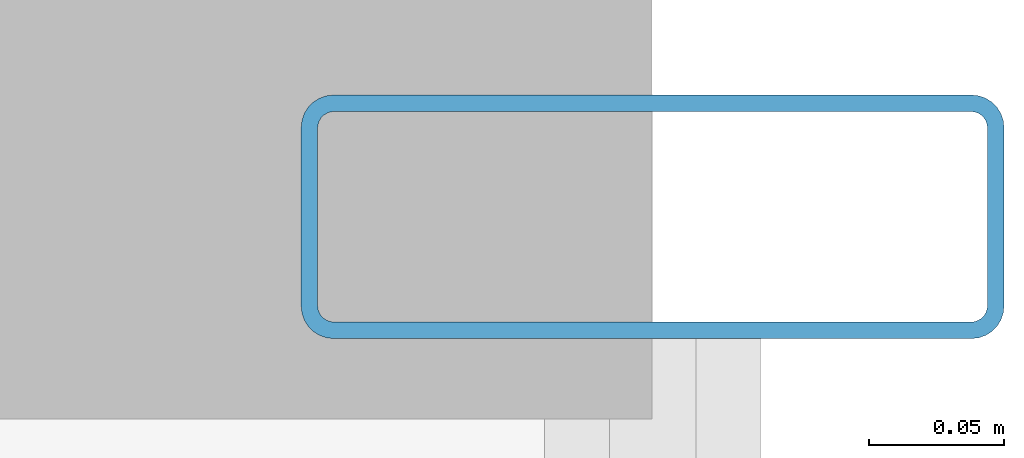
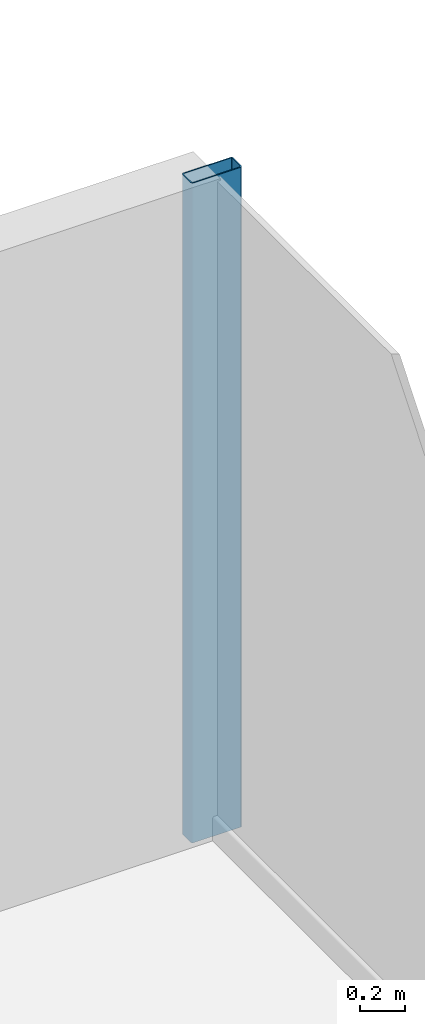
# One storey, part 18 of 26: 1 member, 1 element without a shape of its own.
"""IFC4 building model written with IfcOpenShell, lengths in metres."""

from ifc_helpers import new_model, si_unit, direction, frame, origin, origin_2d, place, context, subcontext, project, spatial, hollow_rectangle, extrude, source, transform, mapped, material, layer, layer_set, material_profile, profile_set, type_object, element, aggregate, save


model = new_model("IFC4")

# Units and contexts
model_context = context("Model", 3, precision=1e-05, world=origin(), true_north=direction((0.0, 1.0)))
body_context = subcontext(model_context, "Body", "Model", "MODEL_VIEW")
ifc_project = project(units=[si_unit("LENGTHUNIT", "METRE"), si_unit("AREAUNIT", "SQUARE_METRE"), si_unit("VOLUMEUNIT", "CUBIC_METRE"), si_unit("PLANEANGLEUNIT", "RADIAN"), si_unit("MASSUNIT", "GRAM", prefix="KILO")], contexts=[model_context])

# Site, building, storey
site_placement = place(None, origin())
site = spatial("IfcSite", under=ifc_project, at=site_placement, CompositionType="ELEMENT")
building_placement = place(site_placement, origin())
building = spatial("IfcBuilding", under=site, at=building_placement, Name="Nefas-Gora Pilgrimage Tower", CompositionType="ELEMENT")
storey_placement = place(building_placement, frame((0.0, 0.0, 117.39990234375)))
storey = spatial("IfcBuildingStorey", under=building, at=storey_placement, Name="L28", CompositionType="ELEMENT", Elevation=117.39990234375)

# Curtain wall, member
ifc_material_1 = material(Name="Dark ceramic-fritted solar-control aluminium-glass curtain wall", Category="aluminium")
ifc_layer = layer(ifc_material_1, 0.219970703125)
ifc_layer_set = layer_set([ifc_layer], Name="Dark ceramic-fritted solar-control aluminium-glass curtain wall")
curtain_wall_type = type_object("IfcCurtainWallType", Name="CW-SYS-2", PredefinedType="NOTDEFINED", material=ifc_layer_set)
curtain_wall_placement = place(storey_placement, origin())
curtain_wall = element("IfcCurtainWall", 1, at=curtain_wall_placement, inside=storey, type_object=curtain_wall_type, Name="L28 Unitised Curtain Wall CW2", PredefinedType="NOTDEFINED")
ifc_material_2 = material(Name="Anodised architectural aluminium", Category="aluminium")
ifc_material_profile = material_profile(ifc_material_2, hollow_rectangle(XDim=0.090087890625, YDim=0.260009765625, WallThickness=0.006103515625, InnerFilletRadius=0.006103515625, OuterFilletRadius=0.011962890625, at=origin_2d()), Name="ALU MULLION 90x260")
ifc_profile_set = profile_set([ifc_material_profile], Name="Anodised architectural aluminium")
member_type = type_object("IfcMemberType", Name="CWM-MUL-2", PredefinedType="MULLION", material=ifc_profile_set)
shared_shape = source(origin(), body_context, "Body", "SweptSolid", [
    extrude(hollow_rectangle(XDim=0.090087890625, YDim=0.260009765625, WallThickness=0.006103515625, InnerFilletRadius=0.006103515625, OuterFilletRadius=0.011962890625, at=origin_2d()), origin(), (0.0, 0.0, 1.0), 3.550048828125),
])
member_placement = place(storey_placement, frame((34.27001953125, 17.574951171875, 0.0), z_axis=(0.0, 0.0, 1.0), x_axis=(0.0, 1.0, 0.0)))
member = element("IfcMember", 2, at=member_placement, type_object=member_type, Name="CW2 Mullion 2", PredefinedType="MULLION", context=body_context, shape_type="MappedRepresentation", body=[
    mapped(shared_shape, transform((0.0, 0.0, 0.0), x_axis=(1.0, 0.0, 0.0), y_axis=(0.0, 1.0, 0.0), z_axis=(0.0, 0.0, 1.0), scale=1.0)),
])
aggregate(curtain_wall, [member])

save(model, "model.ifc")
